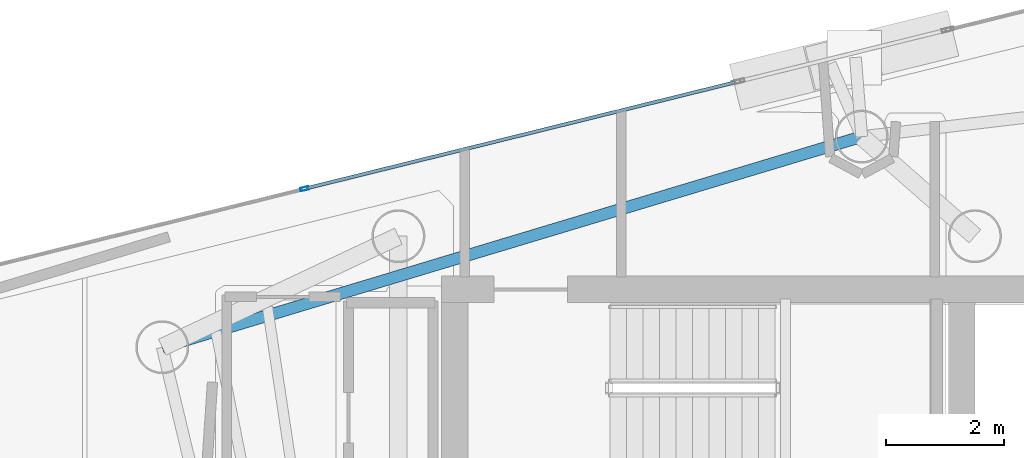
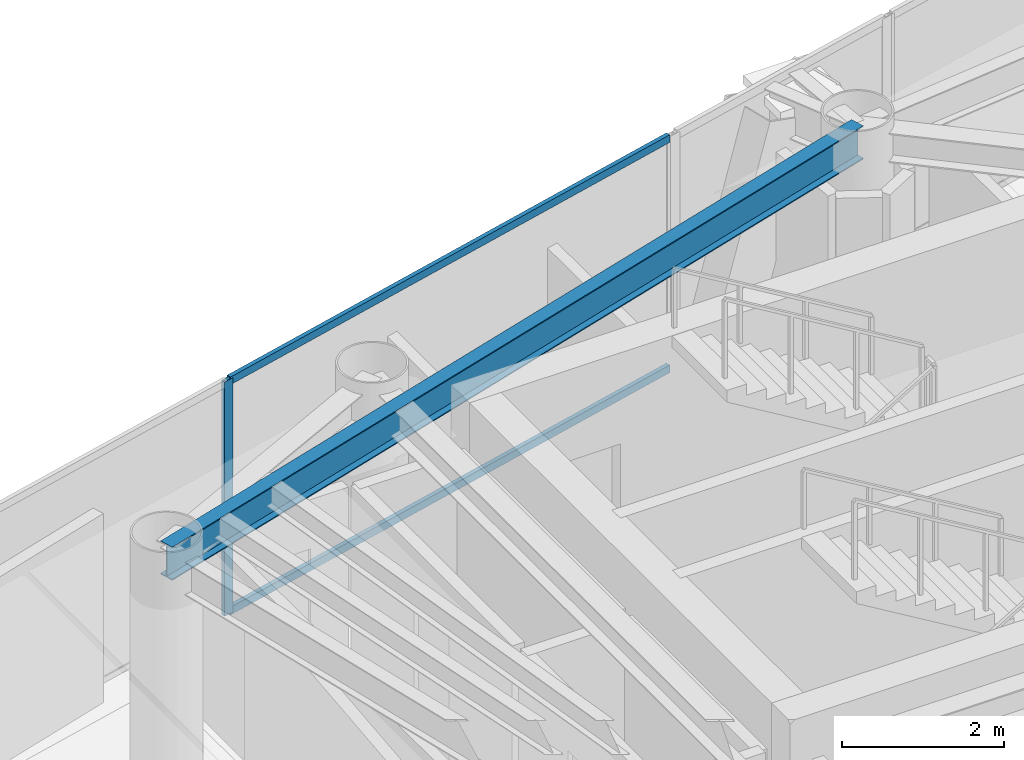
# One storey, part 10 of 21: 3 members, 1 beam, 1 element without a shape of its own.
"""IFC4 building model written with IfcOpenShell, lengths in metres."""

from ifc_helpers import new_model, si_unit, direction, frame, origin, origin_2d, place, context, subcontext, project, spatial, hollow_rectangle, i_section, extrude, material, layer, layer_set, material_profile, profile_set, type_object, element, aggregate, save


model = new_model("IFC4")

# Units and contexts
model_context = context("Model", 3, precision=1e-05, world=origin(), true_north=direction((0.0, 1.0)))
body_context = subcontext(model_context, "Body", "Model", "MODEL_VIEW")
ifc_project = project(units=[si_unit("LENGTHUNIT", "METRE"), si_unit("AREAUNIT", "SQUARE_METRE"), si_unit("VOLUMEUNIT", "CUBIC_METRE"), si_unit("PLANEANGLEUNIT", "RADIAN"), si_unit("MASSUNIT", "GRAM", prefix="KILO")], contexts=[model_context])

# Site, building, storey
site_placement = place(None, origin())
site = spatial("IfcSite", under=ifc_project, at=site_placement, CompositionType="ELEMENT")
building_placement = place(site_placement, origin())
building = spatial("IfcBuilding", under=site, at=building_placement, Name="Qianvela Tower", CompositionType="ELEMENT")
storey_placement = place(building_placement, frame((0.0, 0.0, 310.199951171875)))
storey = spatial("IfcBuildingStorey", under=building, at=storey_placement, Name="L80", CompositionType="ELEMENT", Elevation=310.199951171875)

# Beam
ifc_material_1 = material(Name="Steel Q355B", Category="steel")
ifc_material_profile_1 = material_profile(ifc_material_1, i_section(OverallWidth=0.199951171875, OverallDepth=0.5, WebThickness=0.010009765625, FlangeThickness=0.01611328125, at=origin_2d()), Name="HN500x200x10x16")
ifc_profile_set_1 = profile_set([ifc_material_profile_1], Name="Steel Q355B")
beam_type = type_object("IfcBeamType", Name="BM-HN500-GIRD", PredefinedType="BEAM", material=ifc_profile_set_1)
beam_placement = place(storey_placement, frame((36.47607421875, 35.242919921875, 3.26806640625), z_axis=(-0.957535726794, -0.288314640478, 0.0), x_axis=(0.288314640478, -0.957535726794, 0.0)))
element("IfcBeam", 1, at=beam_placement, inside=storey, type_object=beam_type, Name="L80 Perimeter Ring Spandrel Girder 2", PredefinedType="BEAM", context=body_context, shape_type="SweptSolid", body=[
    extrude(i_section(OverallWidth=0.199951171875, OverallDepth=0.5, WebThickness=0.010009765625, FlangeThickness=0.01611328125, at=origin_2d()), origin(), (0.0, 0.0, 1.0), 12.41650390625),
])

# Curtain wall, members
ifc_material_2 = material(Name="Anodised Architectural Aluminium and Low-E Glass", Category="aluminium")
ifc_layer = layer(ifc_material_2, 0.14990234375)
ifc_layer_set = layer_set([ifc_layer], Name="Anodised Architectural Aluminium and Low-E Glass")
curtain_wall_type = type_object("IfcCurtainWallType", Name="CW-COLIV-Z78", PredefinedType="USERDEFINED", material=ifc_layer_set)
curtain_wall_placement = place(storey_placement, origin())
curtain_wall = element("IfcCurtainWall", 2, at=curtain_wall_placement, inside=storey, type_object=curtain_wall_type, Name="L80 CW-COLIV-Z78 Curtain Wall 02C", ObjectType="CURTAIN_WALL_SYSTEM", PredefinedType="USERDEFINED")
ifc_material_3 = material(Name="Anodised Architectural Aluminium 6063-T6", Category="aluminium")
ifc_material_profile_2 = material_profile(ifc_material_3, hollow_rectangle(XDim=0.06005859375, YDim=0.139892578125, WallThickness=0.00439453125, at=origin_2d()), Name="ALU-MULL-60x140")
ifc_profile_set_2 = profile_set([ifc_material_profile_2], Name="Anodised Architectural Aluminium 6063-T6")
member_type_1 = type_object("IfcMemberType", Name="CW-COLIV-Z78-MULL", PredefinedType="MULLION", material=ifc_profile_set_2)
member_1_placement = place(storey_placement, frame((27.004150390625, 34.3564453125, 0.0), z_axis=(0.0, 0.0, 1.0), x_axis=(0.240007186942, -0.970771111136, 0.0)))
member_1 = element("IfcMember", 3, at=member_1_placement, type_object=member_type_1, Name="CW-6 mullion 2", PredefinedType="MULLION", context=body_context, shape_type="SweptSolid", body=[
    extrude(hollow_rectangle(XDim=0.06005859375, YDim=0.139892578125, WallThickness=0.00439453125, at=origin_2d()), origin(), (0.0, 0.0, 1.0), 3.52001953125),
])
ifc_material_4 = material(Name="Anodised Architectural Aluminium 6063-T6", Category="aluminium")
ifc_material_profile_3 = material_profile(ifc_material_4, hollow_rectangle(XDim=0.06005859375, YDim=0.114990234375, WallThickness=0.00390625, at=origin_2d()), Name="ALU-TRAN-60x115")
ifc_profile_set_3 = profile_set([ifc_material_profile_3], Name="Anodised Architectural Aluminium 6063-T6")
member_type_2 = type_object("IfcMemberType", Name="CW-COLIV-Z78-TRAN", PredefinedType="USERDEFINED", material=ifc_profile_set_3)
member_2_placement = place(storey_placement, frame((34.3154296875, 36.1640625, 0.030029296875), z_axis=(-0.970774768223, -0.239992394424, 0.0), x_axis=(0.239992394424, -0.970774768223, 0.0)))
member_2 = element("IfcMember", 4, at=member_2_placement, type_object=member_type_2, Name="CW-6 transom 1.1", ObjectType="TRANSOM", PredefinedType="USERDEFINED", context=body_context, shape_type="SweptSolid", body=[
    extrude(hollow_rectangle(XDim=0.06005859375, YDim=0.114990234375, WallThickness=0.00390625, at=origin_2d()), origin(), (0.0, 0.0, 1.0), 7.50146484375),
])
member_3_placement = place(storey_placement, frame((34.3154296875, 36.1640625, 3.489990234375), z_axis=(-0.970774768223, -0.239992394424, 0.0), x_axis=(0.239992394424, -0.970774768223, 0.0)))
member_3 = element("IfcMember", 5, at=member_3_placement, type_object=member_type_2, Name="CW-6 transom 1.2", ObjectType="TRANSOM", PredefinedType="USERDEFINED", context=body_context, shape_type="SweptSolid", body=[
    extrude(hollow_rectangle(XDim=0.06005859375, YDim=0.114990234375, WallThickness=0.00390625, at=origin_2d()), origin(), (0.0, 0.0, 1.0), 7.50146484375),
])
aggregate(curtain_wall, [member_1, member_2, member_3])

save(model, "model.ifc")
